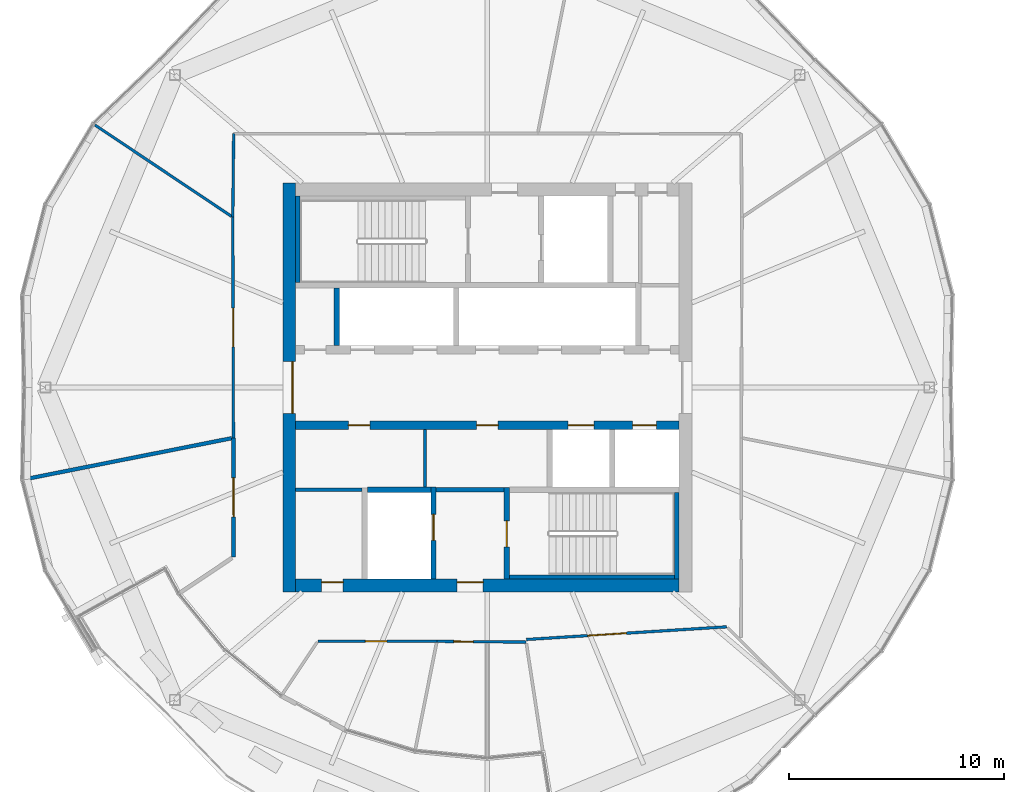
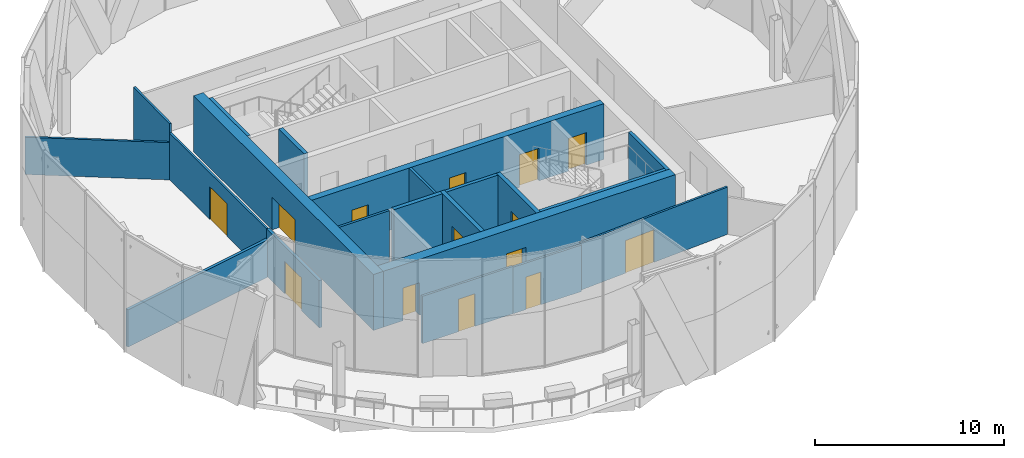
# One storey, part 19 of 27: 21 walls, 14 doors, 14 openings.
"""IFC4 building model written with IfcOpenShell, lengths in metres."""

from ifc_helpers import new_model, si_unit, direction, frame, frame_2d, origin, place, context, subcontext, project, spatial, rectangle, extrude, material, layer, layer_set, type_object, element, fill, save


model = new_model("IFC4")

# Units and contexts
model_context = context("Model", 3, precision=1e-05, world=origin(), true_north=direction((0.0, 1.0)))
body_context = subcontext(model_context, "Body", "Model", "MODEL_VIEW")
ifc_project = project(units=[si_unit("LENGTHUNIT", "METRE"), si_unit("AREAUNIT", "SQUARE_METRE"), si_unit("VOLUMEUNIT", "CUBIC_METRE"), si_unit("PLANEANGLEUNIT", "RADIAN"), si_unit("MASSUNIT", "GRAM", prefix="KILO")], contexts=[model_context])

# Site, building, storey
site_placement = place(None, origin())
site = spatial("IfcSite", under=ifc_project, at=site_placement, CompositionType="ELEMENT")
building_placement = place(site_placement, origin())
building = spatial("IfcBuilding", under=site, at=building_placement, Name="Ogive Gate Towers", CompositionType="ELEMENT")
storey_placement = place(building_placement, frame((0.0, 0.0, 189.0)))
storey = spatial("IfcBuildingStorey", under=building, at=storey_placement, Name="L45", CompositionType="ELEMENT", Elevation=189.0)

# Wall
ifc_material_1 = material(Name="Gypsum board acoustic partition")
ifc_layer_1 = layer(ifc_material_1, 0.175048828125)
ifc_layer_set_1 = layer_set([ifc_layer_1], Name="Acoustic partition 175")
wall_type_1 = type_object("IfcWallType", Name="Acoustic partition 175", PredefinedType="PARTITIONING", material=ifc_layer_set_1)
wall_1_placement = place(storey_placement, frame((-57.5, -4.268310546875, 0.0), z_axis=(0.0, 0.0, 1.0), x_axis=(0.980861035238, 0.194709089544, 0.0)))
element("IfcWall", 1, at=wall_1_placement, inside=storey, type_object=wall_type_1, Name="Partition T1-L45-004", PredefinedType="PARTITIONING", context=body_context, shape_type="SweptSolid", body=[
    extrude(rectangle(XDim=9.8115234375, YDim=0.175048828125, at=frame_2d((4.90576171875, 0.0))), origin(), (0.0, 0.0, 1.0), 2.39990234375),
])

# Wall, opening, door
wall_2_placement = place(storey_placement, frame((-47.7841796875, -7.869873046875, 0.0), z_axis=(0.0, 0.0, 1.0), x_axis=(-0.001103898299, 0.999999390704, 0.0)))
wall_2 = element("IfcWall", 2, at=wall_2_placement, inside=storey, type_object=wall_type_1, Name="Partition T1-L45-014", PredefinedType="PARTITIONING", context=body_context, shape_type="SweptSolid", body=[
    extrude(rectangle(XDim=5.529052734375, YDim=0.175048828125, at=frame_2d((2.7646484375, 0.0))), origin(), (0.0, 0.0, 1.0), 3.050048828125),
])
opening_1_placement = place(wall_2_placement, frame((1.864990234375, 0.0, 0.0)))
opening_1 = element("IfcOpeningElement", 3, at=opening_1_placement, cuts=wall_2, Name="Opening T1-L45-D03", PredefinedType="OPENING", context=body_context, shape_type="SweptSolid", body=[
    extrude(rectangle(XDim=1.800048828125, YDim=2.10009765625, at=frame_2d((0.89990234375, 1.050048828125))), frame((0.0, 0.09765625, 0.0), z_axis=(0.0, -1.0, 0.0), x_axis=(1.0, 0.0, 0.0)), (0.0, 0.0, 1.0), 0.195068359375),
])
ifc_material_2 = material(Name="Timber door", Category="wood")
door_type_1 = type_object("IfcDoorType", Name="Door pair 1800", OperationType="NOTDEFINED", PredefinedType="DOOR", material=ifc_material_2)
door_1_placement = place(opening_1_placement, origin())
door_1 = element("IfcDoor", 4, at=door_1_placement, inside=storey, type_object=door_type_1, Name="Door T1-L45-D03", OperationType="DOUBLE_DOOR_DOUBLE_SWING", OverallHeight=2.10009765625, OverallWidth=1.800048828125, PredefinedType="DOOR", context=body_context, shape_type="SweptSolid", body=[
    extrude(rectangle(XDim=1.800048828125, YDim=2.10009765625, at=frame_2d((0.89990234375, 1.050048828125))), frame((0.0, 0.02490234375, 0.0), z_axis=(0.0, -1.0, 0.0), x_axis=(1.0, 0.0, 0.0)), (0.0, 0.0, 1.0), 0.050048828125),
])
fill(opening_1, door_1)

# Wall
ifc_material_3 = material(Name="Masonry blockwork", Category="masonry")
ifc_layer_2 = layer(ifc_material_3, 0.199951171875)
ifc_layer_set_2 = layer_set([ifc_layer_2], Name="Blockwork wall 200 mm")
wall_type_2 = type_object("IfcWallType", Name="Blockwork wall 200 mm", PredefinedType="PARTITIONING", material=ifc_layer_set_2)
wall_3_placement = place(storey_placement, frame((-38.375, -4.75, 0.0), z_axis=(0.0, 0.0, 1.0), x_axis=(1.0, 0.0, 0.0)))
element("IfcWall", 5, at=wall_3_placement, inside=storey, type_object=wall_type_2, Name="T1 L45 Blockwork wall 200 mm", PredefinedType="PARTITIONING", context=body_context, shape_type="SweptSolid", body=[
    extrude(rectangle(XDim=3.14990234375, YDim=0.199951171875, at=frame_2d((1.574951171875, 0.0))), origin(), (0.0, 0.0, 1.0), 3.60009765625),
])

# Wall, openings, doors
ifc_material_4 = material(Name="Concrete C60/75", Category="concrete")
ifc_layer_3 = layer(ifc_material_4, 0.60009765625)
ifc_layer_set_3 = layer_set([ifc_layer_3], Name="Core wall 600 mm")
wall_type_3 = type_object("IfcWallType", Name="Core wall 600 mm", PredefinedType="SHEAR", material=ifc_layer_set_3)
wall_4_placement = place(storey_placement, frame((-44.89990234375, -9.199951171875, 0.0), z_axis=(0.0, 0.0, 1.0), x_axis=(1.0, 0.0, 0.0)))
wall_4 = element("IfcWall", 6, at=wall_4_placement, inside=storey, type_object=wall_type_3, Name="T1 L45 Core wall 600 mm", PredefinedType="SHEAR", context=body_context, shape_type="SweptSolid", body=[
    extrude(rectangle(XDim=17.7998046875, YDim=0.60009765625, at=frame_2d((8.89990234375, 0.0))), origin(), (0.0, 0.0, 1.0), 3.60009765625),
])
opening_2_placement = place(wall_4_placement, frame((7.5, 0.0, 0.0)))
opening_2 = element("IfcOpeningElement", 7, at=opening_2_placement, cuts=wall_4, Name="Opening KD-T1-L45-19", PredefinedType="OPENING", context=body_context, shape_type="SweptSolid", body=[
    extrude(rectangle(XDim=1.199951171875, YDim=2.10009765625, at=frame_2d((0.60009765625, 1.050048828125))), frame((0.0, 0.31005859375, 0.0), z_axis=(0.0, -1.0, 0.0), x_axis=(1.0, 0.0, 0.0)), (0.0, 0.0, 1.0), 0.6201171875),
])
opening_3_placement = place(wall_4_placement, frame((1.199951171875, 0.0, 0.0)))
opening_3 = element("IfcOpeningElement", 8, at=opening_3_placement, cuts=wall_4, Name="Opening KD-T1-L45-22", PredefinedType="OPENING", context=body_context, shape_type="SweptSolid", body=[
    extrude(rectangle(XDim=1.0, YDim=2.10009765625, at=frame_2d((0.5, 1.050048828125))), frame((0.0, 0.31005859375, 0.0), z_axis=(0.0, -1.0, 0.0), x_axis=(1.0, 0.0, 0.0)), (0.0, 0.0, 1.0), 0.6201171875),
])
door_type_2 = type_object("IfcDoorType", Name="Accessible WC door 1000 x 2100", OperationType="NOTDEFINED", PredefinedType="DOOR", material=ifc_material_2)
door_2_placement = place(opening_3_placement, origin())
door_2 = element("IfcDoor", 9, at=door_2_placement, inside=storey, type_object=door_type_2, Name="T1 L45 Core door", OperationType="SINGLE_SWING_LEFT", OverallHeight=2.10009765625, OverallWidth=1.0, PredefinedType="DOOR", context=body_context, shape_type="SweptSolid", body=[
    extrude(rectangle(XDim=1.0, YDim=2.10009765625, at=frame_2d((0.5, 1.050048828125))), frame((0.0, 0.1748046875, 0.0), z_axis=(0.0, -1.0, 0.0), x_axis=(1.0, 0.0, 0.0)), (0.0, 0.0, 1.0), 0.050048828125),
])
fill(opening_3, door_2)
ifc_material_5 = material(Name="Steel fire door", Category="steel")
door_type_3 = type_object("IfcDoorType", Name="Core door FD60S 1200 x 2100", OperationType="NOTDEFINED", PredefinedType="DOOR", material=ifc_material_5)
door_3_placement = place(opening_2_placement, origin())
door_3 = element("IfcDoor", 10, at=door_3_placement, inside=storey, type_object=door_type_3, Name="T1 L45 Fire-fighting lobby door", OperationType="SINGLE_SWING_RIGHT", OverallHeight=2.10009765625, OverallWidth=1.199951171875, PredefinedType="DOOR", context=body_context, shape_type="SweptSolid", body=[
    extrude(rectangle(XDim=1.199951171875, YDim=2.10009765625, at=frame_2d((0.60009765625, 1.050048828125))), frame((0.0, 0.1748046875, 0.0), z_axis=(0.0, -1.0, 0.0), x_axis=(1.0, 0.0, 0.0)), (0.0, 0.0, 1.0), 0.050048828125),
])
fill(opening_2, door_3)

# Wall, opening, door
wall_5_placement = place(storey_placement, frame((-45.199951171875, -9.5, 0.0), z_axis=(0.0, 0.0, 1.0), x_axis=(0.0, 1.0, 0.0)))
wall_5 = element("IfcWall", 11, at=wall_5_placement, inside=storey, type_object=wall_type_3, Name="T1 L45 Core wall 600 mm", PredefinedType="SHEAR", context=body_context, shape_type="SweptSolid", body=[
    extrude(rectangle(XDim=19.0, YDim=0.60009765625, at=frame_2d((9.5, 0.0))), origin(), (0.0, 0.0, 1.0), 3.60009765625),
])
opening_4_placement = place(wall_5_placement, frame((8.300048828125, 0.0, 0.0)))
opening_4 = element("IfcOpeningElement", 12, at=opening_4_placement, cuts=wall_5, Name="Opening KD-T1-L45-01", PredefinedType="OPENING", context=body_context, shape_type="SweptSolid", body=[
    extrude(rectangle(XDim=2.39990234375, YDim=2.10009765625, at=frame_2d((1.199951171875, 1.050048828125))), frame((0.0, 0.31005859375, 0.0), z_axis=(0.0, -1.0, 0.0), x_axis=(1.0, 0.0, 0.0)), (0.0, 0.0, 1.0), 0.6201171875),
])
door_type_4 = type_object("IfcDoorType", Name="Core double door FD60S 2400 x 2100", OperationType="DOUBLE_DOOR_SINGLE_SWING", PredefinedType="DOOR", material=ifc_material_5)
door_4_placement = place(opening_4_placement, origin())
door_4 = element("IfcDoor", 13, at=door_4_placement, inside=storey, type_object=door_type_4, Name="T1 L45 Core door double", OperationType="DOUBLE_DOOR_SINGLE_SWING", OverallHeight=2.10009765625, OverallWidth=2.39990234375, PredefinedType="DOOR", context=body_context, shape_type="SweptSolid", body=[
    extrude(rectangle(XDim=2.39990234375, YDim=2.10009765625, at=frame_2d((1.199951171875, 1.050048828125))), frame((0.0, -0.125, 0.0), z_axis=(0.0, -1.0, 0.0), x_axis=(1.0, 0.0, 0.0)), (0.0, 0.0, 1.0), 0.050048828125),
])
fill(opening_4, door_4)

# Wall
ifc_material_6 = material(Name="Gypsum board partition")
ifc_layer_4 = layer(ifc_material_6, 0.125)
ifc_layer_set_4 = layer_set([ifc_layer_4], Name="Partition 125")
wall_type_4 = type_object("IfcWallType", Name="Partition 125", PredefinedType="PARTITIONING", material=ifc_layer_set_4)
wall_6_placement = place(storey_placement, frame((-54.220947265625, 12.184814453125, 0.0), z_axis=(0.0, 0.0, 1.0), x_axis=(0.831252644517, -0.555894811079, 0.0)))
element("IfcWall", 14, at=wall_6_placement, inside=storey, type_object=wall_type_4, Name="Partition T1-L45-003", PredefinedType="PARTITIONING", context=body_context, shape_type="SweptSolid", body=[
    extrude(rectangle(XDim=7.636474609375, YDim=0.125, at=frame_2d((3.818359375, 0.0))), origin(), (0.0, 0.0, 1.0), 2.39990234375),
])

# Wall, opening, door
wall_7_placement = place(storey_placement, frame((-34.197509765625, -11.8251953125, 0.0), z_axis=(0.0, 0.0, 1.0), x_axis=(-0.999963071033, 0.008593984481, 0.0)))
wall_7 = element("IfcWall", 15, at=wall_7_placement, inside=storey, type_object=wall_type_4, Name="Partition T1-L45-012", PredefinedType="PARTITIONING", context=body_context, shape_type="SweptSolid", body=[
    extrude(rectangle(XDim=4.147705078125, YDim=0.125, at=frame_2d((2.07373046875, 0.0))), origin(), (0.0, 0.0, 1.0), 3.0),
])
opening_5_placement = place(wall_7_placement, frame((2.4619140625, 0.0, 0.0)))
opening_5 = element("IfcOpeningElement", 16, at=opening_5_placement, cuts=wall_7, Name="Opening T1-L45-D01", PredefinedType="OPENING", context=body_context, shape_type="SweptSolid", body=[
    extrude(rectangle(XDim=0.89990234375, YDim=2.10009765625, at=frame_2d((0.449951171875, 1.050048828125))), frame((0.0, 0.072509765625, 0.0), z_axis=(0.0, -1.0, 0.0), x_axis=(1.0, 0.0, 0.0)), (0.0, 0.0, 1.0), 0.14501953125),
])
door_type_5 = type_object("IfcDoorType", Name="Door 900", OperationType="NOTDEFINED", PredefinedType="DOOR", material=ifc_material_2)
door_5_placement = place(opening_5_placement, origin())
door_5 = element("IfcDoor", 17, at=door_5_placement, inside=storey, type_object=door_type_5, Name="Door T1-L45-D01", OperationType="SINGLE_SWING_RIGHT", OverallHeight=2.10009765625, OverallWidth=0.89990234375, PredefinedType="DOOR", context=body_context, shape_type="SweptSolid", body=[
    extrude(rectangle(XDim=0.89990234375, YDim=2.10009765625, at=frame_2d((0.449951171875, 1.050048828125))), frame((0.0, 0.02490234375, 0.0), z_axis=(0.0, -1.0, 0.0), x_axis=(1.0, 0.0, 0.0)), (0.0, 0.0, 1.0), 0.050048828125),
])
fill(opening_5, door_5)

wall_8_placement = place(storey_placement, frame((-38.344970703125, -11.78955078125, 0.0), z_axis=(0.0, 0.0, 1.0), x_axis=(-0.999999122227, 0.001324970129, 0.0)))
wall_8 = element("IfcWall", 18, at=wall_8_placement, inside=storey, type_object=wall_type_4, Name="Partition T1-L45-013", PredefinedType="PARTITIONING", context=body_context, shape_type="SweptSolid", body=[
    extrude(rectangle(XDim=5.52783203125, YDim=0.125, at=frame_2d((2.763916015625, 0.0))), origin(), (0.0, 0.0, 1.0), 3.050048828125),
])
opening_6_placement = place(wall_8_placement, frame((2.321044921875, 0.0, 0.0)))
opening_6 = element("IfcOpeningElement", 19, at=opening_6_placement, cuts=wall_8, Name="Opening T1-L45-D02", PredefinedType="OPENING", context=body_context, shape_type="SweptSolid", body=[
    extrude(rectangle(XDim=1.0, YDim=2.10009765625, at=frame_2d((0.5, 1.050048828125))), frame((0.0, 0.072509765625, 0.0), z_axis=(0.0, -1.0, 0.0), x_axis=(1.0, 0.0, 0.0)), (0.0, 0.0, 1.0), 0.14501953125),
])
door_type_6 = type_object("IfcDoorType", Name="Door 1000", OperationType="NOTDEFINED", PredefinedType="DOOR", material=ifc_material_2)
door_6_placement = place(opening_6_placement, origin())
door_6 = element("IfcDoor", 20, at=door_6_placement, inside=storey, type_object=door_type_6, Name="Door T1-L45-D02", OperationType="SINGLE_SWING_LEFT", OverallHeight=2.10009765625, OverallWidth=1.0, PredefinedType="DOOR", context=body_context, shape_type="SweptSolid", body=[
    extrude(rectangle(XDim=1.0, YDim=2.10009765625, at=frame_2d((0.5, 1.050048828125))), frame((0.0, 0.02490234375, 0.0), z_axis=(0.0, -1.0, 0.0), x_axis=(1.0, 0.0, 0.0)), (0.0, 0.0, 1.0), 0.050048828125),
])
fill(opening_6, door_6)

wall_9_placement = place(storey_placement, frame((-47.790283203125, -2.3408203125, 0.0), z_axis=(0.0, 0.0, 1.0), x_axis=(-0.003002417006, 0.999995492736, 0.0)))
wall_9 = element("IfcWall", 21, at=wall_9_placement, inside=storey, type_object=wall_type_4, Name="Partition T1-L45-015", PredefinedType="PARTITIONING", context=body_context, shape_type="SweptSolid", body=[
    extrude(rectangle(XDim=10.24560546875, YDim=0.125, at=frame_2d((5.122802734375, 0.0))), origin(), (0.0, 0.0, 1.0), 3.0),
])
opening_7_placement = place(wall_9_placement, frame((4.222900390625, 0.0, 0.0)))
opening_7 = element("IfcOpeningElement", 22, at=opening_7_placement, cuts=wall_9, Name="Opening T1-L45-D04", PredefinedType="OPENING", context=body_context, shape_type="SweptSolid", body=[
    extrude(rectangle(XDim=1.800048828125, YDim=2.10009765625, at=frame_2d((0.89990234375, 1.050048828125))), frame((0.0, 0.072509765625, 0.0), z_axis=(0.0, -1.0, 0.0), x_axis=(1.0, 0.0, 0.0)), (0.0, 0.0, 1.0), 0.14501953125),
])
door_7_placement = place(opening_7_placement, origin())
door_7 = element("IfcDoor", 23, at=door_7_placement, inside=storey, type_object=door_type_1, Name="Door T1-L45-D04", OperationType="DOUBLE_DOOR_DOUBLE_SWING", OverallHeight=2.10009765625, OverallWidth=1.800048828125, PredefinedType="DOOR", context=body_context, shape_type="SweptSolid", body=[
    extrude(rectangle(XDim=1.800048828125, YDim=2.10009765625, at=frame_2d((0.89990234375, 1.050048828125))), frame((0.0, 0.02490234375, 0.0), z_axis=(0.0, -1.0, 0.0), x_axis=(1.0, 0.0, 0.0)), (0.0, 0.0, 1.0), 0.050048828125),
])
fill(opening_7, door_7)

# Wall
wall_10_placement = place(storey_placement, frame((-47.821044921875, 7.90478515625, 0.0), z_axis=(0.0, 0.0, 1.0), x_axis=(0.010583417817, 0.999943994065, 0.0)))
element("IfcWall", 24, at=wall_10_placement, inside=storey, type_object=wall_type_4, Name="Partition T1-L45-017", PredefinedType="PARTITIONING", context=body_context, shape_type="SweptSolid", body=[
    extrude(rectangle(XDim=3.87548828125, YDim=0.125, at=frame_2d((1.937744140625, 0.0))), origin(), (0.0, 0.0, 1.0), 3.60009765625),
])

# Wall, opening, door
wall_11_placement = place(storey_placement, frame((-24.88427734375, -11.11572265625, 0.0), z_axis=(0.0, 0.0, 1.0), x_axis=(-0.997999141804, -0.063227469961, 0.0)))
wall_11 = element("IfcWall", 25, at=wall_11_placement, inside=storey, type_object=wall_type_4, Name="Partition T1-L45-022", PredefinedType="PARTITIONING", context=body_context, shape_type="SweptSolid", body=[
    extrude(rectangle(XDim=9.324951171875, YDim=0.125, at=frame_2d((4.66259765625, 0.0))), origin(), (0.0, 0.0, 1.0), 3.050048828125),
])
opening_8_placement = place(wall_11_placement, frame((4.6689453125, 0.0, 0.0)))
opening_8 = element("IfcOpeningElement", 26, at=opening_8_placement, cuts=wall_11, Name="Opening T1-L45-D09", PredefinedType="OPENING", context=body_context, shape_type="SweptSolid", body=[
    extrude(rectangle(XDim=1.800048828125, YDim=2.10009765625, at=frame_2d((0.89990234375, 1.050048828125))), frame((0.0, 0.072509765625, 0.0), z_axis=(0.0, -1.0, 0.0), x_axis=(1.0, 0.0, 0.0)), (0.0, 0.0, 1.0), 0.14501953125),
])
door_8_placement = place(opening_8_placement, origin())
door_8 = element("IfcDoor", 27, at=door_8_placement, inside=storey, type_object=door_type_1, Name="Door T1-L45-D09", OperationType="DOUBLE_DOOR_DOUBLE_SWING", OverallHeight=2.10009765625, OverallWidth=1.800048828125, PredefinedType="DOOR", context=body_context, shape_type="SweptSolid", body=[
    extrude(rectangle(XDim=1.800048828125, YDim=2.10009765625, at=frame_2d((0.89990234375, 1.050048828125))), frame((0.0, 0.02490234375, 0.0), z_axis=(0.0, -1.0, 0.0), x_axis=(1.0, 0.0, 0.0)), (0.0, 0.0, 1.0), 0.050048828125),
])
fill(opening_8, door_8)

# Walls
ifc_layer_5 = layer(ifc_material_6, 0.14990234375)
ifc_layer_set_5 = layer_set([ifc_layer_5], Name="Room partition 150 mm")
wall_type_5 = type_object("IfcWallType", Name="Room partition 150 mm", PredefinedType="PARTITIONING", material=ifc_layer_set_5)
wall_12_placement = place(storey_placement, frame((-44.89990234375, -4.75, 0.0), z_axis=(0.0, 0.0, 1.0), x_axis=(1.0, 0.0, 0.0)))
element("IfcWall", 28, at=wall_12_placement, inside=storey, type_object=wall_type_5, Name="T1 L45 Room partition 150 mm", PredefinedType="PARTITIONING", context=body_context, shape_type="SweptSolid", body=[
    extrude(rectangle(XDim=3.074951171875, YDim=0.14990234375, at=frame_2d((1.53759765625, 0.0))), origin(), (0.0, 0.0, 1.0), 3.60009765625),
])
wall_13_placement = place(storey_placement, frame((-38.89990234375, -4.625, 0.0), z_axis=(0.0, 0.0, 1.0), x_axis=(0.0, 1.0, 0.0)))
element("IfcWall", 29, at=wall_13_placement, inside=storey, type_object=wall_type_5, Name="T1 L45 Room partition 150 mm", PredefinedType="PARTITIONING", context=body_context, shape_type="SweptSolid", body=[
    extrude(rectangle(XDim=2.675048828125, YDim=0.14990234375, at=frame_2d((1.33740234375, 0.0))), origin(), (0.0, 0.0, 1.0), 3.60009765625),
])
ifc_layer_6 = layer(ifc_material_4, 0.25)
ifc_layer_set_6 = layer_set([ifc_layer_6], Name="Shaft wall 250 mm")
wall_type_6 = type_object("IfcWallType", Name="Shaft wall 250 mm", PredefinedType="SHEAR", material=ifc_layer_set_6)
wall_14_placement = place(storey_placement, frame((-41.574951171875, -4.75, 0.0), z_axis=(0.0, 0.0, 1.0), x_axis=(1.0, 0.0, 0.0)))
element("IfcWall", 30, at=wall_14_placement, inside=storey, type_object=wall_type_6, Name="T1 L45 Shaft wall 250 mm", PredefinedType="SHEAR", context=body_context, shape_type="SweptSolid", body=[
    extrude(rectangle(XDim=2.949951171875, YDim=0.25, at=frame_2d((1.47509765625, 0.0))), origin(), (0.0, 0.0, 1.0), 3.60009765625),
])
wall_15_placement = place(storey_placement, frame((-43.0, 1.949951171875, 0.0), z_axis=(0.0, 0.0, 1.0), x_axis=(0.0, 1.0, 0.0)))
element("IfcWall", 31, at=wall_15_placement, inside=storey, type_object=wall_type_6, Name="T1 L45 Shaft wall 250 mm", PredefinedType="SHEAR", context=body_context, shape_type="SweptSolid", body=[
    extrude(rectangle(XDim=2.675048828125, YDim=0.25, at=frame_2d((1.33740234375, 0.0))), origin(), (0.0, 0.0, 1.0), 3.60009765625),
])

# Wall, opening, door
wall_16_placement = place(storey_placement, frame((-38.5, -8.89990234375, 0.0), z_axis=(0.0, 0.0, 1.0), x_axis=(0.0, 1.0, 0.0)))
wall_16 = element("IfcWall", 32, at=wall_16_placement, inside=storey, type_object=wall_type_6, Name="T1 L45 Shaft wall 250 mm", PredefinedType="SHEAR", context=body_context, shape_type="SweptSolid", body=[
    extrude(rectangle(XDim=4.27490234375, YDim=0.25, at=frame_2d((2.137451171875, 0.0))), origin(), (0.0, 0.0, 1.0), 3.60009765625),
])
opening_9_placement = place(wall_16_placement, frame((1.800048828125, 0.0, 0.0)))
opening_9 = element("IfcOpeningElement", 33, at=opening_9_placement, cuts=wall_16, Name="Opening LD-T1-L45-13", PredefinedType="OPENING", context=body_context, shape_type="SweptSolid", body=[
    extrude(rectangle(XDim=1.199951171875, YDim=2.10009765625, at=frame_2d((0.60009765625, 1.050048828125))), frame((0.0, 0.135009765625, 0.0), z_axis=(0.0, -1.0, 0.0), x_axis=(1.0, 0.0, 0.0)), (0.0, 0.0, 1.0), 0.27001953125),
])
ifc_material_7 = material(Name="Stainless steel landing door", Category="steel")
door_type_7 = type_object("IfcDoorType", Name="Landing door 1200 x 2100", OperationType="SLIDING_TO_LEFT", PredefinedType="DOOR", material=ifc_material_7)
door_9_placement = place(opening_9_placement, origin())
door_9 = element("IfcDoor", 34, at=door_9_placement, inside=storey, type_object=door_type_7, Name="T1 L45 Lift landing door FF2", OperationType="SLIDING_TO_LEFT", OverallHeight=2.10009765625, OverallWidth=1.199951171875, PredefinedType="DOOR", context=body_context, shape_type="SweptSolid", body=[
    extrude(rectangle(XDim=1.199951171875, YDim=2.10009765625, at=frame_2d((0.60009765625, 1.050048828125))), frame((0.0, 0.02490234375, 0.0), z_axis=(0.0, -1.0, 0.0), x_axis=(1.0, 0.0, 0.0)), (0.0, 0.0, 1.0), 0.050048828125),
])
fill(opening_9, door_9)

wall_17_placement = place(storey_placement, frame((-35.10009765625, -8.89990234375, 0.0), z_axis=(0.0, 0.0, 1.0), x_axis=(0.0, 1.0, 0.0)))
wall_17 = element("IfcWall", 35, at=wall_17_placement, inside=storey, type_object=wall_type_6, Name="T1 L45 Shaft wall 250 mm", PredefinedType="SHEAR", context=body_context, shape_type="SweptSolid", body=[
    extrude(rectangle(XDim=4.25, YDim=0.25, at=frame_2d((2.125, 0.0))), origin(), (0.0, 0.0, 1.0), 3.60009765625),
])
opening_10_placement = place(wall_17_placement, frame((1.5, 0.0, 0.0)))
opening_10 = element("IfcOpeningElement", 36, at=opening_10_placement, cuts=wall_17, Name="Opening KD-T1-L45-17", PredefinedType="OPENING", context=body_context, shape_type="SweptSolid", body=[
    extrude(rectangle(XDim=1.199951171875, YDim=2.10009765625, at=frame_2d((0.60009765625, 1.050048828125))), frame((0.0, 0.135009765625, 0.0), z_axis=(0.0, -1.0, 0.0), x_axis=(1.0, 0.0, 0.0)), (0.0, 0.0, 1.0), 0.27001953125),
])
door_10_placement = place(opening_10_placement, origin())
door_10 = element("IfcDoor", 37, at=door_10_placement, inside=storey, type_object=door_type_3, Name="T1 L45 Stair door", OperationType="SINGLE_SWING_RIGHT", OverallHeight=2.10009765625, OverallWidth=1.199951171875, PredefinedType="DOOR", context=body_context, shape_type="SweptSolid", body=[
    extrude(rectangle(XDim=1.199951171875, YDim=2.10009765625, at=frame_2d((0.60009765625, 1.050048828125))), frame((0.0, 0.02490234375, 0.0), z_axis=(0.0, -1.0, 0.0), x_axis=(1.0, 0.0, 0.0)), (0.0, 0.0, 1.0), 0.050048828125),
])
fill(opening_10, door_10)

# Wall, openings, doors
ifc_layer_7 = layer(ifc_material_4, 0.39990234375)
ifc_layer_set_7 = layer_set([ifc_layer_7], Name="Spine wall 400 mm")
wall_type_7 = type_object("IfcWallType", Name="Spine wall 400 mm", PredefinedType="SHEAR", material=ifc_layer_set_7)
wall_18_placement = place(storey_placement, frame((-44.89990234375, -1.75, 0.0), z_axis=(0.0, 0.0, 1.0), x_axis=(1.0, 0.0, 0.0)))
wall_18 = element("IfcWall", 38, at=wall_18_placement, inside=storey, type_object=wall_type_7, Name="T1 L45 Spine wall 400 mm", PredefinedType="SHEAR", context=body_context, shape_type="SweptSolid", body=[
    extrude(rectangle(XDim=17.7998046875, YDim=0.39990234375, at=frame_2d((8.89990234375, 0.0))), origin(), (0.0, 0.0, 1.0), 3.60009765625),
])
opening_11_placement = place(wall_18_placement, frame((12.64990234375, 0.0, 0.0)))
opening_11 = element("IfcOpeningElement", 39, at=opening_11_placement, cuts=wall_18, Name="Opening LD-T1-L45-10", PredefinedType="OPENING", context=body_context, shape_type="SweptSolid", body=[
    extrude(rectangle(XDim=1.199951171875, YDim=2.10009765625, at=frame_2d((0.60009765625, 1.050048828125))), frame((0.0, 0.2099609375, 0.0), z_axis=(0.0, -1.0, 0.0), x_axis=(1.0, 0.0, 0.0)), (0.0, 0.0, 1.0), 0.419921875),
])
opening_12_placement = place(wall_18_placement, frame((15.64990234375, 0.0, 0.0)))
opening_12 = element("IfcOpeningElement", 40, at=opening_12_placement, cuts=wall_18, Name="Opening LD-T1-L45-11", PredefinedType="OPENING", context=body_context, shape_type="SweptSolid", body=[
    extrude(rectangle(XDim=1.10009765625, YDim=2.10009765625, at=frame_2d((0.550048828125, 1.050048828125))), frame((0.0, 0.2099609375, 0.0), z_axis=(0.0, -1.0, 0.0), x_axis=(1.0, 0.0, 0.0)), (0.0, 0.0, 1.0), 0.419921875),
])
opening_13_placement = place(wall_18_placement, frame((2.449951171875, 0.0, 0.0)))
opening_13 = element("IfcOpeningElement", 41, at=opening_13_placement, cuts=wall_18, Name="Opening KD-T1-L45-14", PredefinedType="OPENING", context=body_context, shape_type="SweptSolid", body=[
    extrude(rectangle(XDim=1.0, YDim=2.10009765625, at=frame_2d((0.5, 1.050048828125))), frame((0.0, 0.2099609375, 0.0), z_axis=(0.0, -1.0, 0.0), x_axis=(1.0, 0.0, 0.0)), (0.0, 0.0, 1.0), 0.419921875),
])
opening_14_placement = place(wall_18_placement, frame((8.39990234375, 0.0, 0.0)))
opening_14 = element("IfcOpeningElement", 42, at=opening_14_placement, cuts=wall_18, Name="Opening KD-T1-L45-15", PredefinedType="OPENING", context=body_context, shape_type="SweptSolid", body=[
    extrude(rectangle(XDim=1.0, YDim=2.10009765625, at=frame_2d((0.5, 1.050048828125))), frame((0.0, 0.2099609375, 0.0), z_axis=(0.0, -1.0, 0.0), x_axis=(1.0, 0.0, 0.0)), (0.0, 0.0, 1.0), 0.419921875),
])
door_type_8 = type_object("IfcDoorType", Name="Core door FD60S 1000 x 2100", OperationType="NOTDEFINED", PredefinedType="DOOR", material=ifc_material_5)
door_11_placement = place(opening_13_placement, origin())
door_11 = element("IfcDoor", 43, at=door_11_placement, inside=storey, type_object=door_type_8, Name="T1 L45 Core door", OperationType="SINGLE_SWING_LEFT", OverallHeight=2.10009765625, OverallWidth=1.0, PredefinedType="DOOR", context=body_context, shape_type="SweptSolid", body=[
    extrude(rectangle(XDim=1.0, YDim=2.10009765625, at=frame_2d((0.5, 1.050048828125))), frame((0.0, 0.02490234375, 0.0), z_axis=(0.0, -1.0, 0.0), x_axis=(1.0, 0.0, 0.0)), (0.0, 0.0, 1.0), 0.050048828125),
])
fill(opening_13, door_11)
door_12_placement = place(opening_14_placement, origin())
door_12 = element("IfcDoor", 44, at=door_12_placement, inside=storey, type_object=door_type_8, Name="T1 L45 Core door", OperationType="SINGLE_SWING_RIGHT", OverallHeight=2.10009765625, OverallWidth=1.0, PredefinedType="DOOR", context=body_context, shape_type="SweptSolid", body=[
    extrude(rectangle(XDim=1.0, YDim=2.10009765625, at=frame_2d((0.5, 1.050048828125))), frame((0.0, 0.02490234375, 0.0), z_axis=(0.0, -1.0, 0.0), x_axis=(1.0, 0.0, 0.0)), (0.0, 0.0, 1.0), 0.050048828125),
])
fill(opening_14, door_12)
door_type_9 = type_object("IfcDoorType", Name="Landing door 1100 x 2100", OperationType="SLIDING_TO_LEFT", PredefinedType="DOOR", material=ifc_material_7)
door_13_placement = place(opening_12_placement, origin())
door_13 = element("IfcDoor", 45, at=door_13_placement, inside=storey, type_object=door_type_9, Name="T1 L45 Lift landing door B6", OperationType="SLIDING_TO_LEFT", OverallHeight=2.10009765625, OverallWidth=1.10009765625, PredefinedType="DOOR", context=body_context, shape_type="SweptSolid", body=[
    extrude(rectangle(XDim=1.10009765625, YDim=2.10009765625, at=frame_2d((0.550048828125, 1.050048828125))), frame((0.0, 0.02490234375, 0.0), z_axis=(0.0, -1.0, 0.0), x_axis=(1.0, 0.0, 0.0)), (0.0, 0.0, 1.0), 0.050048828125),
])
fill(opening_12, door_13)
door_14_placement = place(opening_11_placement, origin())
door_14 = element("IfcDoor", 46, at=door_14_placement, inside=storey, type_object=door_type_7, Name="T1 L45 Lift landing door SVC", OperationType="SLIDING_TO_LEFT", OverallHeight=2.10009765625, OverallWidth=1.199951171875, PredefinedType="DOOR", context=body_context, shape_type="SweptSolid", body=[
    extrude(rectangle(XDim=1.199951171875, YDim=2.10009765625, at=frame_2d((0.60009765625, 1.050048828125))), frame((0.0, 0.02490234375, 0.0), z_axis=(0.0, -1.0, 0.0), x_axis=(1.0, 0.0, 0.0)), (0.0, 0.0, 1.0), 0.050048828125),
])
fill(opening_11, door_14)

# Walls
ifc_layer_8 = layer(ifc_material_4, 0.199951171875)
ifc_layer_set_8 = layer_set([ifc_layer_8], Name="Stair wall 200 mm")
wall_type_8 = type_object("IfcWallType", Name="Stair wall 200 mm", PredefinedType="SHEAR", material=ifc_layer_set_8)
wall_19_placement = place(storey_placement, frame((-34.97509765625, -8.800048828125, 0.0), z_axis=(0.0, 0.0, 1.0), x_axis=(1.0, 0.0, 0.0)))
element("IfcWall", 47, at=wall_19_placement, inside=storey, type_object=wall_type_8, Name="T1 L45 Stair wall 200 mm", PredefinedType="SHEAR", context=body_context, shape_type="SweptSolid", body=[
    extrude(rectangle(XDim=7.675048828125, YDim=0.199951171875, at=frame_2d((3.83740234375, 0.0))), origin(), (0.0, 0.0, 1.0), 3.60009765625),
])
for number, where, z_axis, x_axis, name in (
    (48, (-44.800048828125, 4.875, 0.0), (0.0, 0.0, 1.0), (0.0, 1.0, 0.0), "T1 L45 Stair wall 200 mm"),
    (49, (-27.199951171875, -8.89990234375, 0.0), (0.0, 0.0, 1.0), (0.0, 1.0, 0.0), "T1 L45 Stair wall 200 mm"),
):
    element("IfcWall", number, at=place(storey_placement, frame(where, z_axis=z_axis, x_axis=x_axis)), inside=storey, type_object=wall_type_8, Name=name, PredefinedType="SHEAR", context=body_context, shape_type="SweptSolid", body=[
        extrude(rectangle(XDim=4.02490234375, YDim=0.199951171875, at=frame_2d((2.012451171875, 0.0))), origin(), (0.0, 0.0, 1.0), 3.60009765625),
    ])

save(model, "model.ifc")
